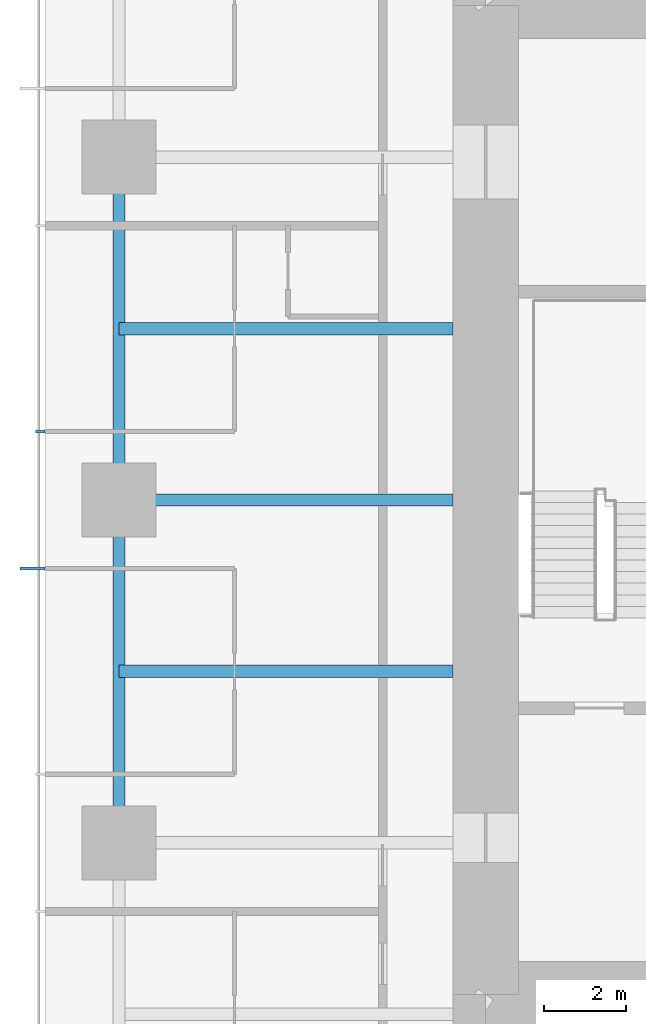
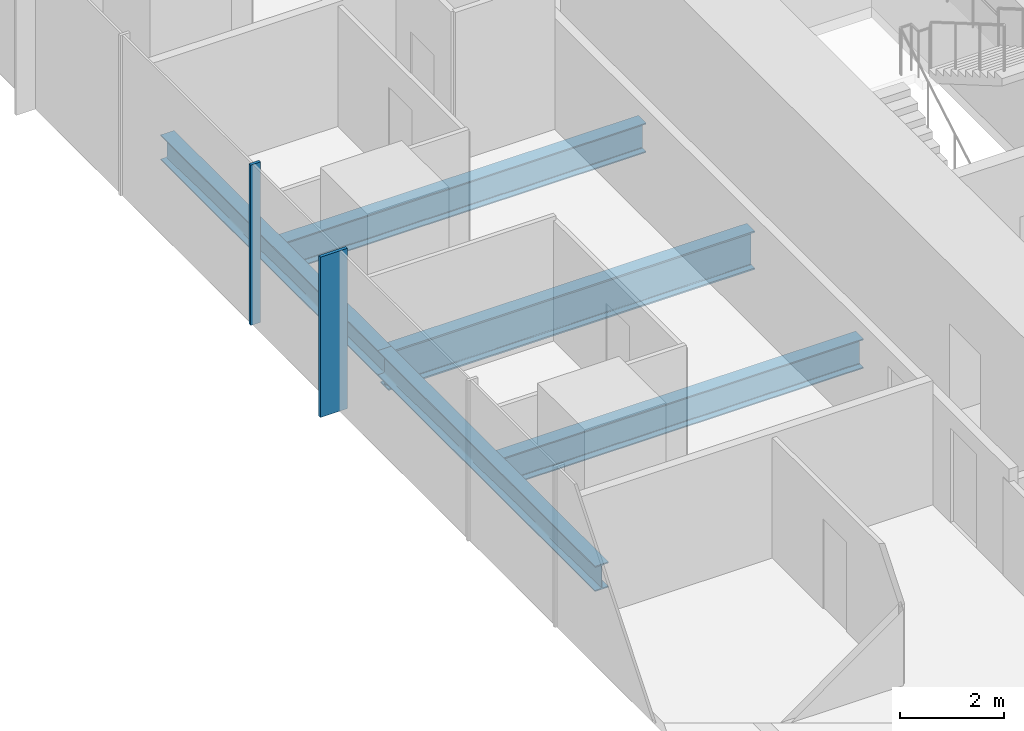
# One storey, part 3 of 12: 5 beams, 2 members, 1 element without a shape of its own.
"""IFC4 building model written with IfcOpenShell, lengths in metres."""

import ifcopenshell
import ifcopenshell.guid

model = None  # the IFC model being written
_history = None  # IfcOwnerHistory: only IFC2X3 demands one
_inside = {}  # id of a spatial element -> (the spatial element, [elements in it])
_under = {}  # id of a project, library or spatial element -> (it, [spatial elements below it])
_declared = {}  # id of a project -> (the project, [libraries it declares])
_typed = {}  # id of a type object -> (the type object, [elements of that type])
_made_of = {}  # id of a material, layer set ... -> (it, [elements and type objects made of it])


def new_model(schema):
    """Start an empty IFC model of exactly this schema.

    Asked for "IFC4X3", IfcOpenShell would pick the latest addendum, in which some entities
    have other attributes; the version numbers below select the first issue.
    IFC2X3 requires an IfcOwnerHistory on every rooted entity: one is made here for all.
    """
    global model, _history
    if schema == "IFC4X3":
        model = ifcopenshell.file(schema_version=(4, 3, 0, 0))
    else:
        model = ifcopenshell.file(schema=schema)
    _inside.clear()
    _under.clear()
    _declared.clear()
    _typed.clear()
    _made_of.clear()
    _history = None
    if model.schema == "IFC2X3":
        org = make("IfcOrganization", Name="unknown")
        user = make(
            "IfcPersonAndOrganization",
            ThePerson=make("IfcPerson", FamilyName="unknown"),
            TheOrganization=org,
        )
        app = make(
            "IfcApplication",
            ApplicationDeveloper=org,
            Version="unknown",
            ApplicationFullName="unknown",
            ApplicationIdentifier="unknown",
        )
        _history = make(
            "IfcOwnerHistory",
            OwningUser=user,
            OwningApplication=app,
            ChangeAction="ADDED",
            CreationDate=0,
        )
    return model


def make(cls, **values):
    """One entity of the class cls with the attributes given. An attribute that is None is left unset."""
    return model.create_entity(
        cls, **{name: value for name, value in values.items() if value is not None}
    )


def rooted(cls, **values):
    """An entity with a GlobalId (a new one), such as an element, a storey or a relation."""
    return make(cls, GlobalId=ifcopenshell.guid.new(), OwnerHistory=_history, **values)


def si_unit(unit_type, name, prefix=None):
    """IfcSIUnit, for example si_unit("LENGTHUNIT", "METRE", prefix="MILLI")."""
    return make("IfcSIUnit", UnitType=unit_type, Prefix=prefix, Name=name)


def assignment(units):
    """IfcUnitAssignment: the units of a project."""
    return None if units is None else make("IfcUnitAssignment", Units=units)


def point(xyz):
    """IfcCartesianPoint."""
    return None if xyz is None else make("IfcCartesianPoint", Coordinates=xyz)


def direction(xyz):
    """IfcDirection."""
    return None if xyz is None else make("IfcDirection", DirectionRatios=xyz)


def frame(location, z_axis=None, x_axis=None):
    """IfcAxis2Placement3D, a coordinate frame: its origin and axes. An axis left out is left unset."""
    return make(
        "IfcAxis2Placement3D",
        Location=point(location),
        Axis=direction(z_axis),
        RefDirection=direction(x_axis),
    )


def frame_2d(location, x_axis=None):
    """IfcAxis2Placement2D, a coordinate frame in the plane: its origin and x axis."""
    return make(
        "IfcAxis2Placement2D", Location=point(location), RefDirection=direction(x_axis)
    )


def origin():
    """The frame at (0, 0, 0) with its axes left unset."""
    return frame((0.0, 0.0, 0.0))


def origin_2d():
    """The frame at (0, 0) in the plane with its x axis left unset."""
    return frame_2d((0.0, 0.0))


def place(relative_to, where):
    """IfcLocalPlacement: puts the frame where relative to a parent placement (None: the world)."""
    return make(
        "IfcLocalPlacement", PlacementRelTo=relative_to, RelativePlacement=where
    )


def context(
    kind, dimensions, precision=None, world=None, true_north=None, identifier=None
):
    """IfcGeometricRepresentationContext, for example the 3D "Model" context."""
    return make(
        "IfcGeometricRepresentationContext",
        ContextIdentifier=identifier,
        ContextType=kind,
        CoordinateSpaceDimension=dimensions,
        Precision=precision,
        WorldCoordinateSystem=world,
        TrueNorth=true_north,
    )


def subcontext(parent, identifier, kind, view, scale=None):
    """IfcGeometricRepresentationSubContext, for example "Body" below "Model"."""
    return make(
        "IfcGeometricRepresentationSubContext",
        ContextIdentifier=identifier,
        ContextType=kind,
        ParentContext=parent,
        TargetScale=scale,
        TargetView=view,
    )


def project(units=None, contexts=None):
    """IfcProject with its units and contexts."""
    return rooted(
        "IfcProject",
        Name="project",
        RepresentationContexts=contexts,
        UnitsInContext=assignment(units),
    )


def spatial(cls, under=None, at=None, **own):
    """A site, building, storey or space (cls), placed at a placement, below another one or the project."""
    s = rooted(cls, ObjectPlacement=at, **own)
    if under is not None:
        _under.setdefault(under.id(), (under, []))[1].append(s)
    return s


def profile(cls, at=None, kind="AREA", **sizes):
    """A parametric profile (cls). Its sizes go by their IFC names, for example OverallWidth=200.0."""
    return make(cls, ProfileType=kind, Position=at, **sizes)


def rectangle(**sizes):
    """IfcRectangleProfileDef."""
    return profile("IfcRectangleProfileDef", **sizes)


def i_section(**sizes):
    """IfcIShapeProfileDef."""
    return profile("IfcIShapeProfileDef", **sizes)


def extrude(swept, where, along, depth):
    """IfcExtrudedAreaSolid: the profile swept, set in the frame where, extruded along a direction by depth."""
    return make(
        "IfcExtrudedAreaSolid",
        SweptArea=swept,
        Position=where,
        ExtrudedDirection=direction(along),
        Depth=depth,
    )


def shape(context_of_items, identifier, shape_type, items):
    """IfcShapeRepresentation: the items that make up one representation, for example the "Body"."""
    return make(
        "IfcShapeRepresentation",
        ContextOfItems=context_of_items,
        RepresentationIdentifier=identifier,
        RepresentationType=shape_type,
        Items=items,
    )


def material(Name=None, Category=None):
    """IfcMaterial."""
    return make("IfcMaterial", Name=Name, Category=Category)


def material_profile(
    of_material, cross_section, Name=None, Category=None, Priority=None
):
    """IfcMaterialProfile: a cross section and its material."""
    return make(
        "IfcMaterialProfile",
        Name=Name,
        Material=of_material,
        Profile=cross_section,
        Priority=Priority,
        Category=Category,
    )


def profile_set(profiles, Name=None, composite=None):
    """IfcMaterialProfileSet."""
    return make(
        "IfcMaterialProfileSet",
        Name=Name,
        MaterialProfiles=profiles,
        CompositeProfile=composite,
    )


def made_of(thing, what):
    """Note that an element or type object is made of a material, layer set ...; save() writes the relation."""
    if what is not None:
        _made_of.setdefault(what.id(), (what, []))[1].append(thing)
    return thing


def type_object(cls, material=None, **own):
    """A type object (cls), such as IfcWallType, which elements share."""
    return made_of(rooted(cls, **own), material)


def element(
    cls,
    number,
    at=None,
    inside=None,
    cuts=None,
    type_object=None,
    material=None,
    context=None,
    identifier="Body",
    shape_type=None,
    held_by="IfcProductDefinitionShape",
    body=None,
    shapes=None,
    **own,
):
    """One element of the class cls, such as IfcWall. Its Tag is "e" and its number.

    at: its placement. inside: the storey or other place that contains it. cuts: it is an
    opening in that element (IfcRelVoidsElement). A single representation is given by context,
    identifier, shape_type and body (its items); several are given by shapes. held_by: the class
    of the entity that holds the representations. save() writes the other relations.
    """
    e = rooted(cls, Tag="e%d" % number, ObjectPlacement=at, **own)
    if body is not None:
        shapes = [shape(context, identifier, shape_type, body)]
    if shapes is not None:
        e.Representation = make(held_by, Representations=shapes)
    if inside is not None:
        _inside.setdefault(inside.id(), (inside, []))[1].append(e)
    if cuts is not None:
        rooted(
            "IfcRelVoidsElement", RelatingBuildingElement=cuts, RelatedOpeningElement=e
        )
    if type_object is not None:
        _typed.setdefault(type_object.id(), (type_object, []))[1].append(e)
    return made_of(e, material)


def aggregate(whole, parts):
    """IfcRelAggregates: a whole, such as a stair, and the parts it consists of."""
    return rooted("IfcRelAggregates", RelatingObject=whole, RelatedObjects=parts)


def save(model, path):
    """Write the relations noted so far, then the file.

    IfcRelAggregates (storeys below a building ...), IfcRelContainedInSpatialStructure (elements
    in a storey), IfcRelDefinesByType, IfcRelAssociatesMaterial and IfcRelDeclares: one each for
    every whole, place, type object, material and project.
    """
    for whole, parts in _under.values():
        aggregate(whole, parts)
    for where, things in _inside.values():
        rooted(
            "IfcRelContainedInSpatialStructure",
            RelatedElements=things,
            RelatingStructure=where,
        )
    for kind, things in _typed.values():
        rooted("IfcRelDefinesByType", RelatedObjects=things, RelatingType=kind)
    for what, things in _made_of.values():
        rooted("IfcRelAssociatesMaterial", RelatedObjects=things, RelatingMaterial=what)
    for by, libraries in _declared.values():
        rooted("IfcRelDeclares", RelatingContext=by, RelatedDefinitions=libraries)
    model.write(path)


model = new_model("IFC4")

# Units and contexts
model_context = context("Model", 3, precision=1e-05, world=origin(), true_north=direction((0.0, 1.0)))
body_context = subcontext(model_context, "Body", "Model", "MODEL_VIEW")
ifc_project = project(units=[si_unit("LENGTHUNIT", "METRE"), si_unit("AREAUNIT", "SQUARE_METRE"), si_unit("VOLUMEUNIT", "CUBIC_METRE"), si_unit("PLANEANGLEUNIT", "RADIAN"), si_unit("MASSUNIT", "GRAM", prefix="KILO")], contexts=[model_context])

# Site, building, storey
site_placement = place(None, origin())
site = spatial("IfcSite", under=ifc_project, at=site_placement, CompositionType="ELEMENT")
building_placement = place(site_placement, origin())
building = spatial("IfcBuilding", under=site, at=building_placement, Name="Khuree Lantern Residences", CompositionType="ELEMENT")
storey_placement = place(building_placement, frame((0.0, 0.0, 225.75)))
storey = spatial("IfcBuildingStorey", under=building, at=storey_placement, Name="L56", CompositionType="ELEMENT", Elevation=225.75)

# Beams
ifc_material_1 = material(Name="Steel S355", Category="steel")
ifc_material_profile_1 = material_profile(ifc_material_1, i_section(OverallWidth=0.300048828125, OverallDepth=0.68994140625, WebThickness=0.014404296875, FlangeThickness=0.027099609375, FilletRadius=0.027099609375, at=origin_2d()), Name="HE 700 A")
ifc_profile_set_1 = profile_set([ifc_material_profile_1], Name="Steel S355")
beam_type_1 = type_object("IfcBeamType", Name="B-32 SECONDARY BEAM HE 700 A", PredefinedType="BEAM", material=ifc_profile_set_1)
for number, where, z_axis, x_axis, name in (
    (1, (-24.39990234375, -4.159912109375, -0.594970703125), (1.0, 0.0, 0.0), (0.0, 1.0, 0.0), "Secondary beam W3"),
    (2, (-24.39990234375, 4.159912109375, -0.594970703125), (1.0, 0.0, 0.0), (0.0, 1.0, 0.0), "Secondary beam W4"),
):
    element("IfcBeam", number, at=place(storey_placement, frame(where, z_axis=z_axis, x_axis=x_axis)), inside=storey, type_object=beam_type_1, Name=name, PredefinedType="BEAM", context=body_context, shape_type="SweptSolid", body=[
        extrude(i_section(OverallWidth=0.300048828125, OverallDepth=0.68994140625, WebThickness=0.014404296875, FlangeThickness=0.027099609375, FilletRadius=0.027099609375, at=origin_2d()), origin(), (0.0, 0.0, 1.0), 8.099853515625),
    ])
ifc_material_profile_2 = material_profile(ifc_material_1, i_section(OverallWidth=0.300048828125, OverallDepth=0.590087890625, WebThickness=0.012939453125, FlangeThickness=0.02490234375, FilletRadius=0.027099609375, at=origin_2d()), Name="HE 600 A")
ifc_profile_set_2 = profile_set([ifc_material_profile_2], Name="Steel S355")
beam_type_2 = type_object("IfcBeamType", Name="E-32 SPANDREL BEAM HE 600 A", PredefinedType="SPANDREL", material=ifc_profile_set_2)
for number, where, z_axis, x_axis, name in (
    (3, (-24.39990234375, -8.320068359375, -0.544921875), (0.0, 1.0, 0.0), (-1.0, 0.0, 0.0), "Spandrel beam W3"),
    (4, (-24.39990234375, 0.0, -0.544921875), (0.0, 1.0, 0.0), (-1.0, 0.0, 0.0), "Spandrel beam W4"),
):
    element("IfcBeam", number, at=place(storey_placement, frame(where, z_axis=z_axis, x_axis=x_axis)), inside=storey, type_object=beam_type_2, Name=name, PredefinedType="SPANDREL", context=body_context, shape_type="SweptSolid", body=[
        extrude(i_section(OverallWidth=0.300048828125, OverallDepth=0.590087890625, WebThickness=0.012939453125, FlangeThickness=0.02490234375, FilletRadius=0.027099609375, at=origin_2d()), origin(), (0.0, 0.0, 1.0), 8.320068359375),
    ])

# Curtain wall, member
ifc_material_2 = material(Name="Bronze anodised aluminium", Category="aluminium")
curtain_wall_type = type_object("IfcCurtainWallType", Name="CW-T1 TOWER FACE CURTAIN WALL", PredefinedType="USERDEFINED", material=ifc_material_2)
curtain_wall_placement = place(storey_placement, origin())
curtain_wall = element("IfcCurtainWall", 5, at=curtain_wall_placement, inside=storey, type_object=curtain_wall_type, Name="L56 WEST FACE CURTAIN WALL", ObjectType="Stick-built curtain wall", PredefinedType="USERDEFINED")
ifc_material_profile_3 = material_profile(ifc_material_2, rectangle(XDim=0.06494140625, YDim=0.60009765625, at=origin_2d()), Name="F1 65X600")
ifc_profile_set_3 = profile_set([ifc_material_profile_3], Name="Bronze anodised aluminium")
member_type_1 = type_object("IfcMemberType", Name="F1 BRONZE FIN MULLION TOWER 65X600", PredefinedType="MULLION", material=ifc_profile_set_3)
member_1_placement = place(storey_placement, frame((-26.5, -1.6640625, 0.0), z_axis=(0.0, 0.0, 1.0), x_axis=(0.0, -1.0, 0.0)))
member_1 = element("IfcMember", 6, at=member_1_placement, type_object=member_type_1, Name="L56 WEST FACE FIN MULLION 38", PredefinedType="MULLION", context=body_context, shape_type="SweptSolid", body=[
    extrude(rectangle(XDim=0.06494140625, YDim=0.60009765625, at=origin_2d()), origin(), (0.0, 0.0, 1.0), 3.75),
])

# Beam
ifc_material_profile_4 = material_profile(ifc_material_1, i_section(OverallWidth=0.300048828125, OverallDepth=0.89990234375, WebThickness=0.0185546875, FlangeThickness=0.034912109375, FilletRadius=0.030029296875, at=origin_2d()), Name="HE 900 B")
ifc_profile_set_4 = profile_set([ifc_material_profile_4], Name="Steel S355")
beam_type_3 = type_object("IfcBeamType", Name="G-32 GIRDER HE 900 B", PredefinedType="BEAM", material=ifc_profile_set_4)
beam_placement = place(storey_placement, frame((-24.39990234375, 0.0, -0.699951171875), z_axis=(1.0, 0.0, 0.0), x_axis=(0.0, 1.0, 0.0)))
element("IfcBeam", 7, at=beam_placement, inside=storey, type_object=beam_type_3, Name="Girder W3", PredefinedType="BEAM", context=body_context, shape_type="SweptSolid", body=[
    extrude(i_section(OverallWidth=0.300048828125, OverallDepth=0.89990234375, WebThickness=0.0185546875, FlangeThickness=0.034912109375, FilletRadius=0.030029296875, at=origin_2d()), origin(), (0.0, 0.0, 1.0), 8.099853515625),
])

# Member
ifc_material_profile_5 = material_profile(ifc_material_2, rectangle(XDim=0.06494140625, YDim=0.219970703125, at=origin_2d()), Name="M1 65X220")
ifc_profile_set_5 = profile_set([ifc_material_profile_5], Name="Bronze anodised aluminium")
member_type_2 = type_object("IfcMemberType", Name="M1 BRONZE MULLION TOWER 65X220", PredefinedType="MULLION", material=ifc_profile_set_5)
member_2_placement = place(storey_placement, frame((-26.31005859375, 1.6640625, 0.0), z_axis=(0.0, 0.0, 1.0), x_axis=(0.0, -1.0, 0.0)))
member_2 = element("IfcMember", 8, at=member_2_placement, type_object=member_type_2, Name="L56 WEST FACE MULLION 37", PredefinedType="MULLION", context=body_context, shape_type="SweptSolid", body=[
    extrude(rectangle(XDim=0.06494140625, YDim=0.219970703125, at=origin_2d()), origin(), (0.0, 0.0, 1.0), 3.75),
])

aggregate(curtain_wall, [member_2, member_1])

save(model, "model.ifc")
